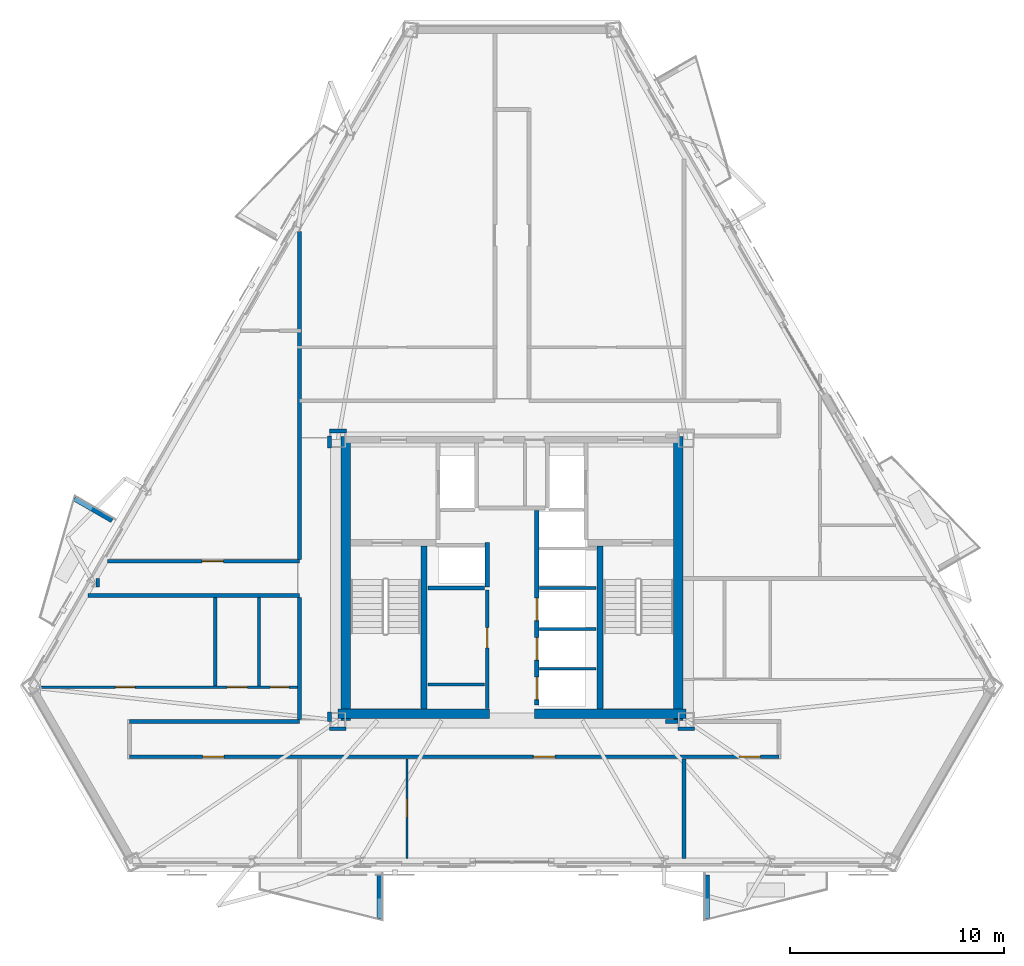
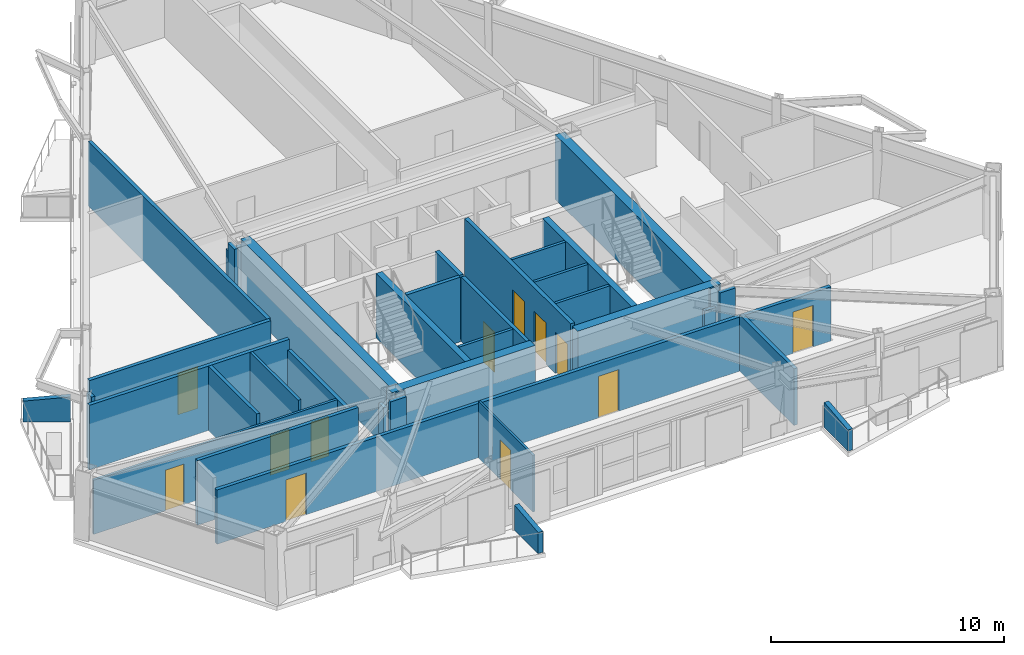
# One storey, part 7 of 14: 35 walls, 12 doors, 12 openings.
"""IFC4 building model written with IfcOpenShell, lengths in metres."""

from ifc_helpers import new_model, si_unit, direction, frame, frame_2d, origin, place, context, subcontext, project, spatial, polyline, rectangle, outline, extrude, material, layer, layer_set, type_object, element, fill, save


model = new_model("IFC4")

# Units and contexts
model_context = context("Model", 3, precision=1e-05, world=origin(), true_north=direction((0.0, 1.0)))
body_context = subcontext(model_context, "Body", "Model", "MODEL_VIEW")
ifc_project = project(units=[si_unit("LENGTHUNIT", "METRE"), si_unit("AREAUNIT", "SQUARE_METRE"), si_unit("VOLUMEUNIT", "CUBIC_METRE"), si_unit("PLANEANGLEUNIT", "RADIAN"), si_unit("MASSUNIT", "GRAM", prefix="KILO")], contexts=[model_context])

# Site, building, storey
site_placement = place(None, origin())
site = spatial("IfcSite", under=ifc_project, at=site_placement, CompositionType="ELEMENT")
building_placement = place(site_placement, origin())
building = spatial("IfcBuilding", under=site, at=building_placement, Name="Oramaril Tower", CompositionType="ELEMENT")
storey_placement = place(building_placement, frame((0.0, 0.0, 149.39990234375)))
storey = spatial("IfcBuildingStorey", under=building, at=storey_placement, Name="L39", CompositionType="ELEMENT", Elevation=149.39990234375)

# Walls
ifc_material_1 = material(Name="Concrete C40/50", Category="concrete")
ifc_layer_1 = layer(ifc_material_1, 0.22998046875)
ifc_layer_set_1 = layer_set([ifc_layer_1], Name="WT-PRP23")
wall_type_1 = type_object("IfcWallType", Name="WT-PRP23", PredefinedType="PARAPET", material=ifc_layer_set_1)
for number, where, z_axis, x_axis, name in (
    (1, (31.29345703125, 3.7587890625, 0.0), (0.0, 0.0, 1.0), (0.0, -1.0, 0.0), "L39 Trapezoidal Balcony Frame Cheek L39-BAL-S1-R"),
    (2, (46.631591796875, 3.7587890625, 0.0), (0.0, 0.0, 1.0), (0.0, -1.0, 0.0), "L39 Trapezoidal Balcony Frame Cheek L39-BAL-S2-L"),
    (3, (18.7822265625, 20.3623046875, 0.0), (0.0, 0.0, 1.0), (-0.866012356593, 0.500022597718, 0.0), "L39 Trapezoidal Balcony Frame Cheek L39-BAL-NW2-L"),
):
    element("IfcWall", number, at=place(storey_placement, frame(where, z_axis=z_axis, x_axis=x_axis)), inside=storey, type_object=wall_type_1, Name=name, PredefinedType="PARAPET", context=body_context, shape_type="SweptSolid", body=[
        extrude(outline(polyline([(0.0, 0.0), (2.0419921875, 0.0), (2.0419921875, 1.10009765625), (0.0, 1.320068359375), (0.0, 0.0)])), frame((0.0, 0.114990234375, 0.0), z_axis=(0.0, -1.0, 0.0), x_axis=(1.0, 0.0, 0.0)), (0.0, 0.0, 1.0), 0.22998046875),
    ])

# Wall, opening, door
ifc_material_2 = material(Name="Acoustic Gypsum Board Partition")
ifc_layer_2 = layer(ifc_material_2, 0.10009765625)
ifc_layer_set_2 = layer_set([ifc_layer_2], Name="WT-PT10")
wall_type_2 = type_object("IfcWallType", Name="WT-PT10", PredefinedType="PARTITIONING", material=ifc_layer_set_2)
wall_1_placement = place(storey_placement, frame((32.590087890625, 4.53076171875, 0.0), z_axis=(0.0, 0.0, 1.0), x_axis=(0.0, 1.0, 0.0)))
wall_1 = element("IfcWall", 4, at=wall_1_placement, inside=storey, type_object=wall_type_2, Name="L39 Interior Partition PT-10", PredefinedType="PARTITIONING", context=body_context, shape_type="SweptSolid", body=[
    extrude(rectangle(XDim=4.67529296875, YDim=0.10009765625, at=frame_2d((2.337646484375, 0.0))), origin(), (0.0, 0.0, 1.0), 2.966064453125),
])
opening_1_placement = place(wall_1_placement, frame((1.9326171875, 0.0, 0.0)))
opening_1 = element("IfcOpeningElement", 5, at=opening_1_placement, cuts=wall_1, Name="Opening D-L39-15", PredefinedType="OPENING", context=body_context, shape_type="SweptSolid", body=[
    extrude(rectangle(XDim=0.8798828125, YDim=2.080078125, at=frame_2d((0.43994140625, 1.0400390625))), frame((0.0, 0.050048828125, 0.0), z_axis=(0.0, -1.0, 0.0), x_axis=(1.0, 0.0, 0.0)), (0.0, 0.0, 1.0), 0.10009765625),
])
ifc_material_3 = material(Name="FSC Brazilian Freijo Hardwood", Category="wood")
door_type_1 = type_object("IfcDoorType", Name="DT-BATH", OperationType="NOTDEFINED", PredefinedType="DOOR", material=ifc_material_3)
door_1_placement = place(opening_1_placement, origin())
door_1 = element("IfcDoor", 6, at=door_1_placement, inside=storey, type_object=door_type_1, Name="L39 Flat L39-U1 Bathroom Door D-L39-15", OperationType="SINGLE_SWING_RIGHT", OverallHeight=2.080078125, OverallWidth=0.8798828125, PredefinedType="DOOR", context=body_context, shape_type="SweptSolid", body=[
    extrude(rectangle(XDim=0.8798828125, YDim=2.080078125, at=frame_2d((0.43994140625, 1.0400390625))), frame((0.0, 0.02490234375, 0.0), z_axis=(0.0, -1.0, 0.0), x_axis=(1.0, 0.0, 0.0)), (0.0, 0.0, 1.0), 0.050048828125),
])
fill(opening_1, door_1)

# Wall, openings, doors
ifc_material_4 = material(Name="Acoustic Gypsum Board Partition")
ifc_layer_3 = layer(ifc_material_4, 0.1201171875)
ifc_layer_set_3 = layer_set([ifc_layer_3], Name="WT-PT12")
wall_type_3 = type_object("IfcWallType", Name="WT-PT12", PredefinedType="PARTITIONING", material=ifc_layer_set_3)
wall_2_placement = place(storey_placement, frame((15.387939453125, 12.550048828125, 0.0), z_axis=(0.0, 0.0, 1.0), x_axis=(1.0, 0.0, 0.0)))
wall_2 = element("IfcWall", 7, at=wall_2_placement, inside=storey, type_object=wall_type_3, Name="L39 Interior Partition PT-12", PredefinedType="PARTITIONING", context=body_context, shape_type="SweptSolid", body=[
    extrude(rectangle(XDim=12.212158203125, YDim=0.1201171875, at=frame_2d((6.10595703125, 0.0))), origin(), (0.0, 0.0, 1.0), 2.842041015625),
])
opening_2_placement = place(wall_2_placement, frame((3.54541015625, 0.0, 0.0)))
opening_2 = element("IfcOpeningElement", 8, at=opening_2_placement, cuts=wall_2, Name="Opening D-L39-04", PredefinedType="OPENING", context=body_context, shape_type="SweptSolid", body=[
    extrude(rectangle(XDim=0.919921875, YDim=2.1201171875, at=frame_2d((0.4599609375, 1.06005859375))), frame((0.0, 0.06005859375, 0.0), z_axis=(0.0, -1.0, 0.0), x_axis=(1.0, 0.0, 0.0)), (0.0, 0.0, 1.0), 0.1201171875),
])
opening_3_placement = place(wall_2_placement, frame((8.77197265625, 0.0, 0.0)))
opening_3 = element("IfcOpeningElement", 9, at=opening_3_placement, cuts=wall_2, Name="Opening D-L39-05", PredefinedType="OPENING", context=body_context, shape_type="SweptSolid", body=[
    extrude(rectangle(XDim=0.949951171875, YDim=2.10009765625, at=frame_2d((0.47509765625, 1.050048828125))), frame((0.0, 0.06005859375, 0.0), z_axis=(0.0, -1.0, 0.0), x_axis=(1.0, 0.0, 0.0)), (0.0, 0.0, 1.0), 0.1201171875),
])
opening_4_placement = place(wall_2_placement, frame((10.7919921875, 0.0, 0.0)))
opening_4 = element("IfcOpeningElement", 10, at=opening_4_placement, cuts=wall_2, Name="Opening D-L39-06", PredefinedType="OPENING", context=body_context, shape_type="SweptSolid", body=[
    extrude(rectangle(XDim=0.8798828125, YDim=2.080078125, at=frame_2d((0.43994140625, 1.0400390625))), frame((0.0, 0.06005859375, 0.0), z_axis=(0.0, -1.0, 0.0), x_axis=(1.0, 0.0, 0.0)), (0.0, 0.0, 1.0), 0.1201171875),
])
door_2_placement = place(opening_4_placement, origin())
door_2 = element("IfcDoor", 11, at=door_2_placement, inside=storey, type_object=door_type_1, Name="L39 Flat L39-U2 Bathroom Door D-L39-06", OperationType="SINGLE_SWING_LEFT", OverallHeight=2.080078125, OverallWidth=0.8798828125, PredefinedType="DOOR", context=body_context, shape_type="SweptSolid", body=[
    extrude(rectangle(XDim=0.8798828125, YDim=2.080078125, at=frame_2d((0.43994140625, 1.0400390625))), frame((0.0, 0.02490234375, 0.0), z_axis=(0.0, -1.0, 0.0), x_axis=(1.0, 0.0, 0.0)), (0.0, 0.0, 1.0), 0.050048828125),
])
fill(opening_4, door_2)
ifc_material_5 = material(Name="FSC Brazilian Freijo Hardwood", Category="wood")
door_type_2 = type_object("IfcDoorType", Name="DT-BED", OperationType="NOTDEFINED", PredefinedType="DOOR", material=ifc_material_5)
door_3_placement = place(opening_2_placement, origin())
door_3 = element("IfcDoor", 12, at=door_3_placement, inside=storey, type_object=door_type_2, Name="L39 Flat L39-U2 Master Bedroom Door D-L39-04", OperationType="SINGLE_SWING_LEFT", OverallHeight=2.1201171875, OverallWidth=0.919921875, PredefinedType="DOOR", context=body_context, shape_type="SweptSolid", body=[
    extrude(rectangle(XDim=0.919921875, YDim=2.1201171875, at=frame_2d((0.4599609375, 1.06005859375))), frame((0.0, 0.02490234375, 0.0), z_axis=(0.0, -1.0, 0.0), x_axis=(1.0, 0.0, 0.0)), (0.0, 0.0, 1.0), 0.050048828125),
])
fill(opening_2, door_3)
ifc_material_6 = material(Name="FSC Brazilian Freijo Hardwood", Category="wood")
door_type_3 = type_object("IfcDoorType", Name="DT-STDY", OperationType="NOTDEFINED", PredefinedType="DOOR", material=ifc_material_6)
door_4_placement = place(opening_3_placement, origin())
door_4 = element("IfcDoor", 13, at=door_4_placement, inside=storey, type_object=door_type_3, Name="L39 Flat L39-U2 Kitchen Door D-L39-05", OperationType="SINGLE_SWING_RIGHT", OverallHeight=2.10009765625, OverallWidth=0.949951171875, PredefinedType="DOOR", context=body_context, shape_type="SweptSolid", body=[
    extrude(rectangle(XDim=0.949951171875, YDim=2.10009765625, at=frame_2d((0.47509765625, 1.050048828125))), frame((0.0, 0.02490234375, 0.0), z_axis=(0.0, -1.0, 0.0), x_axis=(1.0, 0.0, 0.0)), (0.0, 0.0, 1.0), 0.050048828125),
])
fill(opening_3, door_4)

# Walls
ifc_material_7 = material(Name="Acoustic Gypsum Board Partition")
ifc_layer_4 = layer(ifc_material_7, 0.139892578125)
ifc_layer_set_4 = layer_set([ifc_layer_4], Name="WT-PT14")
wall_type_4 = type_object("IfcWallType", Name="WT-PT14", PredefinedType="PARTITIONING", material=ifc_layer_set_4)
for number, where, z_axis, x_axis, name in (
    (14, (33.56005859375, 12.679931640625, 0.0), (0.0, 0.0, 1.0), (1.0, 0.0, 0.0), "L39 Freed Shaft South Closure"),
    (15, (38.780029296875, 13.419921875, 0.0), (0.0, 0.0, 1.0), (1.0, 0.0, 0.0), "L39 East Lift Divider"),
    (16, (38.780029296875, 15.27001953125, 0.0), (0.0, 0.0, 1.0), (1.0, 0.0, 0.0), "L39 East Lift Divider"),
    (17, (38.780029296875, 17.199951171875, 0.0), (0.0, 0.0, 1.0), (1.0, 0.0, 0.0), "L39 East Lift Divider"),
):
    element("IfcWall", number, at=place(storey_placement, frame(where, z_axis=z_axis, x_axis=x_axis)), inside=storey, type_object=wall_type_4, Name=name, PredefinedType="PARTITIONING", context=body_context, shape_type="SweptSolid", body=[
        extrude(rectangle(XDim=2.659912109375, YDim=0.139892578125, at=frame_2d((1.330078125, 0.0))), origin(), (0.0, 0.0, 1.0), 3.380126953125),
    ])
wall_3_placement = place(storey_placement, frame((25.659912109375, 12.614013671875, 0.0), z_axis=(0.0, 0.0, 1.0), x_axis=(0.0, 1.0, 0.0)))
element("IfcWall", 18, at=wall_3_placement, inside=storey, type_object=wall_type_4, Name="L39 Interior Partition PT-14", PredefinedType="PARTITIONING", context=body_context, shape_type="SweptSolid", body=[
    extrude(rectangle(XDim=4.14208984375, YDim=0.139892578125, at=frame_2d((2.071044921875, 0.0))), origin(), (0.0, 0.0, 1.0), 3.380126953125),
])
ifc_material_8 = material(Name="Acoustic Gypsum Board Partition")
ifc_layer_5 = layer(ifc_material_8, 0.159912109375)
ifc_layer_set_5 = layer_set([ifc_layer_5], Name="WT-PT16")
wall_type_5 = type_object("IfcWallType", Name="WT-PT16", PredefinedType="PARTITIONING", material=ifc_layer_set_5)
wall_4_placement = place(storey_placement, frame((23.610107421875, 12.614013671875, 0.0), z_axis=(0.0, 0.0, 1.0), x_axis=(0.0, 1.0, 0.0)))
element("IfcWall", 19, at=wall_4_placement, inside=storey, type_object=wall_type_5, Name="L39 Interior Partition PT-16", PredefinedType="PARTITIONING", context=body_context, shape_type="SweptSolid", body=[
    extrude(rectangle(XDim=4.14208984375, YDim=0.159912109375, at=frame_2d((2.071044921875, 0.0))), origin(), (0.0, 0.0, 1.0), 3.380126953125),
])
ifc_material_9 = material(Name="Autoclaved Cellular Concrete Block", Category="concrete")
ifc_layer_6 = layer(ifc_material_9, 0.179931640625)
ifc_layer_set_6 = layer_set([ifc_layer_6], Name="WT-PT18")
wall_type_6 = type_object("IfcWallType", Name="WT-PT18", PredefinedType="PARTITIONING", material=ifc_layer_set_6)
wall_5_placement = place(storey_placement, frame((33.56005859375, 17.199951171875, 0.0), z_axis=(0.0, 0.0, 1.0), x_axis=(1.0, 0.0, 0.0)))
element("IfcWall", 20, at=wall_5_placement, inside=storey, type_object=wall_type_6, Name="L39 High-Rise Lift H1 South Wall", PredefinedType="PARTITIONING", context=body_context, shape_type="SweptSolid", body=[
    extrude(rectangle(XDim=2.659912109375, YDim=0.179931640625, at=frame_2d((1.330078125, 0.0))), origin(), (0.0, 0.0, 1.0), 3.380126953125),
])

# Wall, opening, door
wall_6_placement = place(storey_placement, frame((36.340087890625, 11.550048828125, 0.0), z_axis=(0.0, 0.0, 1.0), x_axis=(0.0, 1.0, 0.0)))
wall_6 = element("IfcWall", 21, at=wall_6_placement, inside=storey, type_object=wall_type_6, Name="L39 Freed Shaft Study East Wall", PredefinedType="PARTITIONING", context=body_context, shape_type="SweptSolid", body=[
    extrude(rectangle(XDim=5.550048828125, YDim=0.179931640625, at=frame_2d((2.77490234375, 0.0))), origin(), (0.0, 0.0, 1.0), 3.380126953125),
])
opening_5_placement = place(wall_6_placement, frame((2.85009765625, 0.0, 0.0)))
opening_5 = element("IfcOpeningElement", 22, at=opening_5_placement, cuts=wall_6, Name="Opening D-L39-FL1", PredefinedType="OPENING", context=body_context, shape_type="SweptSolid", body=[
    extrude(rectangle(XDim=0.949951171875, YDim=2.10009765625, at=frame_2d((0.47509765625, 1.050048828125))), frame((0.0, 0.08984375, 0.0), z_axis=(0.0, -1.0, 0.0), x_axis=(1.0, 0.0, 0.0)), (0.0, 0.0, 1.0), 0.179931640625),
])
door_5_placement = place(opening_5_placement, origin())
door_5 = element("IfcDoor", 23, at=door_5_placement, inside=storey, type_object=door_type_3, Name="L39 L39 Residents Library Study Door", OperationType="SINGLE_SWING_LEFT", OverallHeight=2.10009765625, OverallWidth=0.949951171875, PredefinedType="DOOR", context=body_context, shape_type="SweptSolid", body=[
    extrude(rectangle(XDim=0.949951171875, YDim=2.10009765625, at=frame_2d((0.47509765625, 1.050048828125))), frame((0.0, 0.02490234375, 0.0), z_axis=(0.0, -1.0, 0.0), x_axis=(1.0, 0.0, 0.0)), (0.0, 0.0, 1.0), 0.050048828125),
])
fill(opening_5, door_5)

# Wall, openings, doors
wall_7_placement = place(storey_placement, frame((19.60009765625, 9.300048828125, 0.0), z_axis=(0.0, 0.0, 1.0), x_axis=(1.0, 0.0, 0.0)))
wall_7 = element("IfcWall", 24, at=wall_7_placement, inside=storey, type_object=wall_type_6, Name="L39 Interior Partition PT-18", PredefinedType="PARTITIONING", context=body_context, shape_type="SweptSolid", body=[
    extrude(rectangle(XDim=30.39990234375, YDim=0.179931640625, at=frame_2d((15.199951171875, 0.0))), origin(), (0.0, 0.0, 1.0), 2.842041015625),
])
opening_6_placement = place(wall_7_placement, frame((3.42138671875, 0.0, 0.0)))
opening_6 = element("IfcOpeningElement", 25, at=opening_6_placement, cuts=wall_7, Name="Opening D-L39-01", PredefinedType="OPENING", context=body_context, shape_type="SweptSolid", body=[
    extrude(rectangle(XDim=1.0, YDim=2.179931640625, at=frame_2d((0.5, 1.08984375))), frame((0.0, 0.08984375, 0.0), z_axis=(0.0, -1.0, 0.0), x_axis=(1.0, 0.0, 0.0)), (0.0, 0.0, 1.0), 0.179931640625),
])
opening_7_placement = place(wall_7_placement, frame((18.90185546875, 0.0, 0.0)))
opening_7 = element("IfcOpeningElement", 26, at=opening_7_placement, cuts=wall_7, Name="Opening D-L39-02", PredefinedType="OPENING", context=body_context, shape_type="SweptSolid", body=[
    extrude(rectangle(XDim=1.0, YDim=2.179931640625, at=frame_2d((0.5, 1.08984375))), frame((0.0, 0.08984375, 0.0), z_axis=(0.0, -1.0, 0.0), x_axis=(1.0, 0.0, 0.0)), (0.0, 0.0, 1.0), 0.179931640625),
])
opening_8_placement = place(wall_7_placement, frame((28.5322265625, 0.0, 0.0)))
opening_8 = element("IfcOpeningElement", 27, at=opening_8_placement, cuts=wall_7, Name="Opening D-L39-03", PredefinedType="OPENING", context=body_context, shape_type="SweptSolid", body=[
    extrude(rectangle(XDim=1.0, YDim=2.179931640625, at=frame_2d((0.5, 1.08984375))), frame((0.0, 0.08984375, 0.0), z_axis=(0.0, -1.0, 0.0), x_axis=(1.0, 0.0, 0.0)), (0.0, 0.0, 1.0), 0.179931640625),
])
ifc_material_10 = material(Name="FSC Brazilian Freijo Hardwood", Category="wood")
door_type_4 = type_object("IfcDoorType", Name="DT-APT", OperationType="NOTDEFINED", PredefinedType="DOOR", material=ifc_material_10)
door_6_placement = place(opening_6_placement, origin())
door_6 = element("IfcDoor", 28, at=door_6_placement, inside=storey, type_object=door_type_4, Name="L39 Flat L39-U2 Penthouse Living and Dining Room Door D-L39-01", OperationType="SINGLE_SWING_RIGHT", OverallHeight=2.179931640625, OverallWidth=1.0, PredefinedType="DOOR", context=body_context, shape_type="SweptSolid", body=[
    extrude(rectangle(XDim=1.0, YDim=2.179931640625, at=frame_2d((0.5, 1.08984375))), frame((0.0, 0.02490234375, 0.0), z_axis=(0.0, -1.0, 0.0), x_axis=(1.0, 0.0, 0.0)), (0.0, 0.0, 1.0), 0.050048828125),
])
fill(opening_6, door_6)
door_7_placement = place(opening_7_placement, origin())
door_7 = element("IfcDoor", 29, at=door_7_placement, inside=storey, type_object=door_type_4, Name="L39 Flat L39-U1 Kitchen and Studio Apartment Door D-L39-02", OperationType="SINGLE_SWING_LEFT", OverallHeight=2.179931640625, OverallWidth=1.0, PredefinedType="DOOR", context=body_context, shape_type="SweptSolid", body=[
    extrude(rectangle(XDim=1.0, YDim=2.179931640625, at=frame_2d((0.5, 1.08984375))), frame((0.0, 0.02490234375, 0.0), z_axis=(0.0, -1.0, 0.0), x_axis=(1.0, 0.0, 0.0)), (0.0, 0.0, 1.0), 0.050048828125),
])
fill(opening_7, door_7)
door_8_placement = place(opening_8_placement, origin())
door_8 = element("IfcDoor", 30, at=door_8_placement, inside=storey, type_object=door_type_4, Name="L39 Flat L39-U4 Penthouse Living and Dining Room Door D-L39-03", OperationType="SINGLE_SWING_RIGHT", OverallHeight=2.179931640625, OverallWidth=1.0, PredefinedType="DOOR", context=body_context, shape_type="SweptSolid", body=[
    extrude(rectangle(XDim=1.0, YDim=2.179931640625, at=frame_2d((0.5, 1.08984375))), frame((0.0, 0.02490234375, 0.0), z_axis=(0.0, -1.0, 0.0), x_axis=(1.0, 0.0, 0.0)), (0.0, 0.0, 1.0), 0.050048828125),
])
fill(opening_8, door_8)

# Walls
for number, where, z_axis, x_axis, name in (
    (31, (28.9599609375, 10.610107421875, 0.0), (0.0, 0.0, 1.0), (1.0, 0.0, 0.0), "L39 Interior Partition PT-18"),
    (32, (45.260009765625, 10.610107421875, 0.0), (0.0, 0.0, 1.0), (1.0, 0.0, 0.0), "L39 Interior Partition PT-18"),
):
    element("IfcWall", number, at=place(storey_placement, frame(where, z_axis=z_axis, x_axis=x_axis)), inside=storey, type_object=wall_type_6, Name=name, PredefinedType="PARTITIONING", context=body_context, shape_type="SweptSolid", body=[
        extrude(rectangle(XDim=0.780029296875, YDim=0.179931640625, at=frame_2d((0.39013671875, 0.0))), origin(), (0.0, 0.0, 1.0), 3.380126953125),
    ])
wall_8_placement = place(storey_placement, frame((19.60009765625, 10.949951171875, 0.0), z_axis=(0.0, 0.0, 1.0), x_axis=(1.0, 0.0, 0.0)))
element("IfcWall", 33, at=wall_8_placement, inside=storey, type_object=wall_type_6, Name="L39 Interior Partition PT-18", PredefinedType="PARTITIONING", context=body_context, shape_type="SweptSolid", body=[
    extrude(rectangle(XDim=7.949951171875, YDim=0.179931640625, at=frame_2d((3.97509765625, 0.0))), origin(), (0.0, 0.0, 1.0), 3.380126953125),
])
wall_9_placement = place(storey_placement, frame((44.695068359375, 10.949951171875, 0.0), z_axis=(0.0, 0.0, 1.0), x_axis=(1.0, 0.0, 0.0)))
element("IfcWall", 34, at=wall_9_placement, inside=storey, type_object=wall_type_6, Name="L39 Interior Partition PT-18", PredefinedType="PARTITIONING", context=body_context, shape_type="SweptSolid", body=[
    extrude(rectangle(XDim=0.56494140625, YDim=0.179931640625, at=frame_2d((0.282470703125, 0.0))), origin(), (0.0, 0.0, 1.0), 2.420166015625),
])
wall_10_placement = place(storey_placement, frame((17.645751953125, 16.85009765625, 0.0), z_axis=(0.0, 0.0, 1.0), x_axis=(1.0, 0.0, 0.0)))
element("IfcWall", 35, at=wall_10_placement, inside=storey, type_object=wall_type_6, Name="L39 Interior Partition PT-18", PredefinedType="PARTITIONING", context=body_context, shape_type="SweptSolid", body=[
    extrude(rectangle(XDim=9.904296875, YDim=0.179931640625, at=frame_2d((4.9521484375, 0.0))), origin(), (0.0, 0.0, 1.0), 3.380126953125),
])

# Wall, opening, door
wall_11_placement = place(storey_placement, frame((18.569580078125, 18.449951171875, 0.0), z_axis=(0.0, 0.0, 1.0), x_axis=(1.0, 0.0, 0.0)))
wall_11 = element("IfcWall", 36, at=wall_11_placement, inside=storey, type_object=wall_type_6, Name="L39 Interior Partition PT-18", PredefinedType="PARTITIONING", context=body_context, shape_type="SweptSolid", body=[
    extrude(rectangle(XDim=8.98046875, YDim=0.179931640625, at=frame_2d((4.490234375, 0.0))), origin(), (0.0, 0.0, 1.0), 3.380126953125),
])
opening_9_placement = place(wall_11_placement, frame((4.422119140625, 0.0, 0.0)))
opening_9 = element("IfcOpeningElement", 37, at=opening_9_placement, cuts=wall_11, Name="Opening D-L39-10", PredefinedType="OPENING", context=body_context, shape_type="SweptSolid", body=[
    extrude(rectangle(XDim=1.0, YDim=2.179931640625, at=frame_2d((0.5, 1.08984375))), frame((0.0, 0.08984375, 0.0), z_axis=(0.0, -1.0, 0.0), x_axis=(1.0, 0.0, 0.0)), (0.0, 0.0, 1.0), 0.179931640625),
])
door_9_placement = place(opening_9_placement, origin())
door_9 = element("IfcDoor", 38, at=door_9_placement, inside=storey, type_object=door_type_4, Name="L39 Flat L39-U3 Kitchen and Studio Apartment Door D-L39-10", OperationType="SINGLE_SWING_LEFT", OverallHeight=2.179931640625, OverallWidth=1.0, PredefinedType="DOOR", context=body_context, shape_type="SweptSolid", body=[
    extrude(rectangle(XDim=1.0, YDim=2.179931640625, at=frame_2d((0.5, 1.08984375))), frame((0.0, 0.02490234375, 0.0), z_axis=(0.0, -1.0, 0.0), x_axis=(1.0, 0.0, 0.0)), (0.0, 0.0, 1.0), 0.050048828125),
])
fill(opening_9, door_9)

# Walls
wall_12_placement = place(storey_placement, frame((28.955078125, 24.550048828125, 0.0), z_axis=(0.0, 0.0, 1.0), x_axis=(1.0, 0.0, 0.0)))
element("IfcWall", 39, at=wall_12_placement, inside=storey, type_object=wall_type_6, Name="L39 Interior Partition PT-18", PredefinedType="PARTITIONING", context=body_context, shape_type="SweptSolid", body=[
    extrude(rectangle(XDim=0.7900390625, YDim=0.179931640625, at=frame_2d((0.39501953125, 0.0))), origin(), (0.0, 0.0, 1.0), 2.842041015625),
])
wall_13_placement = place(storey_placement, frame((18.110107421875, 17.248779296875, 0.0), z_axis=(0.0, 0.0, 1.0), x_axis=(0.0, 1.0, 0.0)))
element("IfcWall", 40, at=wall_13_placement, inside=storey, type_object=wall_type_6, Name="L39 Interior Partition PT-18", PredefinedType="PARTITIONING", context=body_context, shape_type="SweptSolid", body=[
    extrude(rectangle(XDim=0.405029296875, YDim=0.179931640625, at=frame_2d((0.20263671875, 0.0))), origin(), (0.0, 0.0, 1.0), 3.380126953125),
])
wall_14_placement = place(storey_placement, frame((27.550048828125, 11.0439453125, 0.0), z_axis=(0.0, 0.0, 1.0), x_axis=(0.0, 1.0, 0.0)))
element("IfcWall", 41, at=wall_14_placement, inside=storey, type_object=wall_type_6, Name="L39 Interior Partition PT-18", PredefinedType="PARTITIONING", context=body_context, shape_type="SweptSolid", body=[
    extrude(rectangle(XDim=5.712158203125, YDim=0.179931640625, at=frame_2d((2.85595703125, 0.0))), origin(), (0.0, 0.0, 1.0), 2.842041015625),
])
wall_15_placement = place(storey_placement, frame((27.550048828125, 18.5439453125, 0.0), z_axis=(0.0, 0.0, 1.0), x_axis=(0.0, 1.0, 0.0)))
element("IfcWall", 42, at=wall_15_placement, inside=storey, type_object=wall_type_6, Name="L39 Interior Partition PT-18", PredefinedType="PARTITIONING", context=body_context, shape_type="SweptSolid", body=[
    extrude(rectangle(XDim=15.343505859375, YDim=0.179931640625, at=frame_2d((7.671875, 0.0))), origin(), (0.0, 0.0, 1.0), 3.380126953125),
])
wall_16_placement = place(storey_placement, frame((28.949951171875, 10.949951171875, 0.0), z_axis=(0.0, 0.0, 1.0), x_axis=(0.0, 1.0, 0.0)))
element("IfcWall", 43, at=wall_16_placement, inside=storey, type_object=wall_type_6, Name="L39 Interior Partition PT-18", PredefinedType="PARTITIONING", context=body_context, shape_type="SweptSolid", body=[
    extrude(rectangle(XDim=0.445068359375, YDim=0.179931640625, at=frame_2d((0.22265625, 0.0))), origin(), (0.0, 0.0, 1.0), 2.842041015625),
])
wall_17_placement = place(storey_placement, frame((28.949951171875, 23.7548828125, 0.0), z_axis=(0.0, 0.0, 1.0), x_axis=(0.0, 1.0, 0.0)))
element("IfcWall", 44, at=wall_17_placement, inside=storey, type_object=wall_type_6, Name="L39 Interior Partition PT-18", PredefinedType="PARTITIONING", context=body_context, shape_type="SweptSolid", body=[
    extrude(rectangle(XDim=0.565185546875, YDim=0.179931640625, at=frame_2d((0.28271484375, 0.0))), origin(), (0.0, 0.0, 1.0), 3.380126953125),
])
wall_18_placement = place(storey_placement, frame((45.56005859375, 4.53076171875, 0.0), z_axis=(0.0, 0.0, 1.0), x_axis=(0.0, 1.0, 0.0)))
element("IfcWall", 45, at=wall_18_placement, inside=storey, type_object=wall_type_6, Name="L39 Interior Partition PT-18", PredefinedType="PARTITIONING", context=body_context, shape_type="SweptSolid", body=[
    extrude(rectangle(XDim=4.67529296875, YDim=0.179931640625, at=frame_2d((2.337646484375, 0.0))), origin(), (0.0, 0.0, 1.0), 2.966064453125),
])
ifc_material_11 = material(Name="Concrete C50/60", Category="concrete")
ifc_layer_7 = layer(ifc_material_11, 0.300048828125)
ifc_layer_set_7 = layer_set([ifc_layer_7], Name="WT-SH30")
wall_type_7 = type_object("IfcWallType", Name="WT-SH30", PredefinedType="SHEAR", material=ifc_layer_set_7)
for number, where, z_axis, x_axis, name in (
    (46, (33.3798828125, 11.5400390625, 0.0), (0.0, 0.0, 1.0), (0.0, 1.0, 0.0), "L39 Core Shear Wall CW-ST1E"),
    (47, (41.6201171875, 11.5400390625, 0.0), (0.0, 0.0, 1.0), (0.0, 1.0, 0.0), "L39 Core Shear Wall CW-ST2W"),
):
    element("IfcWall", number, at=place(storey_placement, frame(where, z_axis=z_axis, x_axis=x_axis)), inside=storey, type_object=wall_type_7, Name=name, PredefinedType="SHEAR", context=body_context, shape_type="SweptSolid", body=[
        extrude(rectangle(XDim=7.619873046875, YDim=0.300048828125, at=frame_2d((3.81005859375, 0.0))), origin(), (0.0, 0.0, 1.0), 3.380126953125),
    ])
ifc_material_12 = material(Name="Concrete C50/60", Category="concrete")
ifc_layer_8 = layer(ifc_material_12, 0.449951171875)
ifc_layer_set_8 = layer_set([ifc_layer_8], Name="WT-SH45")
wall_type_8 = type_object("IfcWallType", Name="WT-SH45", PredefinedType="SHEAR", material=ifc_layer_set_8)
for number, where, z_axis, x_axis, name in (
    (48, (29.715087890625, 11.0, 0.0), (0.0, 0.0, 1.0), (0.0, 1.0, 0.0), "L39 Core Shear Wall CW-W"),
    (49, (45.284912109375, 11.0, 0.0), (0.0, 0.0, 1.0), (0.0, 1.0, 0.0), "L39 Core Shear Wall CW-E"),
):
    element("IfcWall", number, at=place(storey_placement, frame(where, z_axis=z_axis, x_axis=x_axis)), inside=storey, type_object=wall_type_8, Name=name, PredefinedType="SHEAR", context=body_context, shape_type="SweptSolid", body=[
        extrude(rectangle(XDim=13.300048828125, YDim=0.449951171875, at=frame_2d((6.64990234375, 0.0))), origin(), (0.0, 0.0, 1.0), 3.380126953125),
    ])
for number, where, z_axis, x_axis, name in (
    (50, (29.35009765625, 11.31494140625, 0.0), (0.0, 0.0, 1.0), (1.0, 0.0, 0.0), "L39 Core Shear Wall CW-SW"),
    (51, (38.550048828125, 11.31494140625, 0.0), (0.0, 0.0, 1.0), (1.0, 0.0, 0.0), "L39 Core Shear Wall CW-SE"),
):
    element("IfcWall", number, at=place(storey_placement, frame(where, z_axis=z_axis, x_axis=x_axis)), inside=storey, type_object=wall_type_8, Name=name, PredefinedType="SHEAR", context=body_context, shape_type="SweptSolid", body=[
        extrude(rectangle(XDim=7.099853515625, YDim=0.449951171875, at=frame_2d((3.5498046875, 0.0))), origin(), (0.0, 0.0, 1.0), 3.380126953125),
    ])
ifc_material_13 = material(Name="Autoclaved Cellular Concrete Block", Category="concrete")
ifc_layer_9 = layer(ifc_material_13, 0.199951171875)
ifc_layer_set_9 = layer_set([ifc_layer_9], Name="WT-SHF20")
wall_type_9 = type_object("IfcWallType", Name="WT-SHF20", PredefinedType="PARTITIONING", material=ifc_layer_set_9)
wall_19_placement = place(storey_placement, frame((36.340087890625, 17.25, 0.0), z_axis=(0.0, 0.0, 1.0), x_axis=(0.0, 1.0, 0.0)))
element("IfcWall", 52, at=wall_19_placement, inside=storey, type_object=wall_type_9, Name="L39 High-Rise Lift H1 Front Wall", PredefinedType="PARTITIONING", context=body_context, shape_type="SweptSolid", body=[
    extrude(rectangle(XDim=2.070068359375, YDim=0.199951171875, at=frame_2d((1.03515625, 0.0))), origin(), (0.0, 0.0, 1.0), 3.380126953125),
])

# Wall, openings, doors
wall_20_placement = place(storey_placement, frame((38.659912109375, 11.719970703125, 0.0), z_axis=(0.0, 0.0, 1.0), x_axis=(0.0, 1.0, 0.0)))
wall_20 = element("IfcWall", 53, at=wall_20_placement, inside=storey, type_object=wall_type_9, Name="L39 East Lift Bank Front Wall", PredefinedType="PARTITIONING", context=body_context, shape_type="SweptSolid", body=[
    extrude(rectangle(XDim=9.10009765625, YDim=0.199951171875, at=frame_2d((4.550048828125, 0.0))), origin(), (0.0, 0.0, 1.0), 3.380126953125),
])
opening_10_placement = place(wall_20_placement, frame((0.2548828125, 0.0, 0.0)))
opening_10 = element("IfcOpeningElement", 54, at=opening_10_placement, cuts=wall_20, Name="Opening LD-L39-LP-M1", PredefinedType="OPENING", context=body_context, shape_type="SweptSolid", body=[
    extrude(rectangle(XDim=1.050048828125, YDim=2.14990234375, at=frame_2d((0.52490234375, 1.074951171875))), frame((0.0, 0.10009765625, 0.0), z_axis=(0.0, -1.0, 0.0), x_axis=(1.0, 0.0, 0.0)), (0.0, 0.0, 1.0), 0.199951171875),
])
opening_11_placement = place(wall_20_placement, frame((2.10498046875, 0.0, 0.0)))
opening_11 = element("IfcOpeningElement", 55, at=opening_11_placement, cuts=wall_20, Name="Opening LD-L39-LP-M2", PredefinedType="OPENING", context=body_context, shape_type="SweptSolid", body=[
    extrude(rectangle(XDim=1.050048828125, YDim=2.14990234375, at=frame_2d((0.52490234375, 1.074951171875))), frame((0.0, 0.10009765625, 0.0), z_axis=(0.0, -1.0, 0.0), x_axis=(1.0, 0.0, 0.0)), (0.0, 0.0, 1.0), 0.199951171875),
])
opening_12_placement = place(wall_20_placement, frame((3.955078125, 0.0, 0.0)))
opening_12 = element("IfcOpeningElement", 56, at=opening_12_placement, cuts=wall_20, Name="Opening LD-L39-LP-M3", PredefinedType="OPENING", context=body_context, shape_type="SweptSolid", body=[
    extrude(rectangle(XDim=1.050048828125, YDim=2.14990234375, at=frame_2d((0.52490234375, 1.074951171875))), frame((0.0, 0.10009765625, 0.0), z_axis=(0.0, -1.0, 0.0), x_axis=(1.0, 0.0, 0.0)), (0.0, 0.0, 1.0), 0.199951171875),
])
ifc_material_14 = material(Name="Stainless Steel 316L", Category="steel")
door_type_5 = type_object("IfcDoorType", Name="DT-LD2", OperationType="NOTDEFINED", PredefinedType="DOOR", material=ifc_material_14)
door_10_placement = place(opening_10_placement, origin())
door_10 = element("IfcDoor", 57, at=door_10_placement, inside=storey, type_object=door_type_5, Name="L39 Lift LP-M1 Sliding Landing Door", OperationType="SLIDING_TO_RIGHT", OverallHeight=2.14990234375, OverallWidth=1.050048828125, PredefinedType="DOOR", context=body_context, shape_type="SweptSolid", body=[
    extrude(rectangle(XDim=1.050048828125, YDim=2.14990234375, at=frame_2d((0.52490234375, 1.074951171875))), frame((0.0, 0.02490234375, 0.0), z_axis=(0.0, -1.0, 0.0), x_axis=(1.0, 0.0, 0.0)), (0.0, 0.0, 1.0), 0.050048828125),
])
fill(opening_10, door_10)
door_11_placement = place(opening_11_placement, origin())
door_11 = element("IfcDoor", 58, at=door_11_placement, inside=storey, type_object=door_type_5, Name="L39 Lift LP-M2 Sliding Landing Door", OperationType="SLIDING_TO_LEFT", OverallHeight=2.14990234375, OverallWidth=1.050048828125, PredefinedType="DOOR", context=body_context, shape_type="SweptSolid", body=[
    extrude(rectangle(XDim=1.050048828125, YDim=2.14990234375, at=frame_2d((0.52490234375, 1.074951171875))), frame((0.0, 0.02490234375, 0.0), z_axis=(0.0, -1.0, 0.0), x_axis=(1.0, 0.0, 0.0)), (0.0, 0.0, 1.0), 0.050048828125),
])
fill(opening_11, door_11)
door_12_placement = place(opening_12_placement, origin())
door_12 = element("IfcDoor", 59, at=door_12_placement, inside=storey, type_object=door_type_5, Name="L39 Lift LP-M3 Sliding Landing Door", OperationType="SLIDING_TO_RIGHT", OverallHeight=2.14990234375, OverallWidth=1.050048828125, PredefinedType="DOOR", context=body_context, shape_type="SweptSolid", body=[
    extrude(rectangle(XDim=1.050048828125, YDim=2.14990234375, at=frame_2d((0.52490234375, 1.074951171875))), frame((0.0, 0.02490234375, 0.0), z_axis=(0.0, -1.0, 0.0), x_axis=(1.0, 0.0, 0.0)), (0.0, 0.0, 1.0), 0.050048828125),
])
fill(opening_12, door_12)

save(model, "model.ifc")
